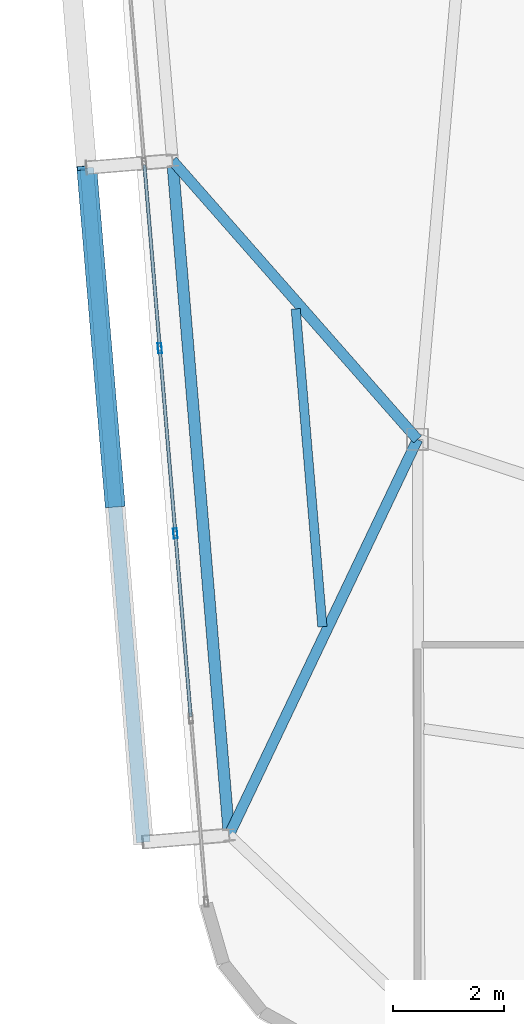
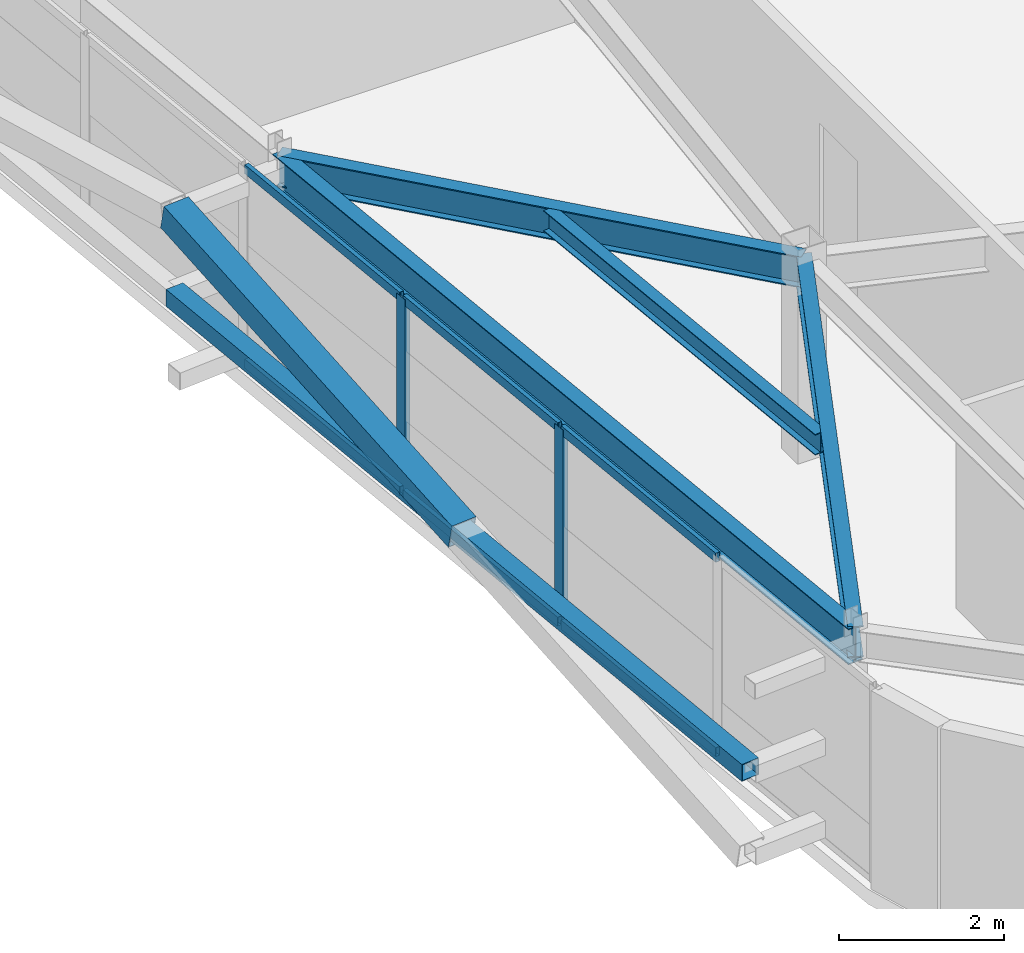
# One storey, part 9 of 46: 10 members, 4 beams, 1 element without a shape of its own.
"""IFC4 building model written with IfcOpenShell, lengths in metres."""

from ifc_helpers import new_model, si_unit, direction, frame, origin, origin_2d, place, context, subcontext, project, spatial, hollow_rectangle, i_section, extrude, source, transform, mapped, material, layer, layer_set, material_profile, profile_set, type_object, element, aggregate, save


model = new_model("IFC4")

# Units and contexts
model_context = context("Model", 3, precision=1e-05, world=origin(), true_north=direction((0.0, 1.0)))
body_context = subcontext(model_context, "Body", "Model", "MODEL_VIEW")
ifc_project = project(units=[si_unit("LENGTHUNIT", "METRE"), si_unit("AREAUNIT", "SQUARE_METRE"), si_unit("VOLUMEUNIT", "CUBIC_METRE"), si_unit("PLANEANGLEUNIT", "RADIAN"), si_unit("MASSUNIT", "GRAM", prefix="KILO")], contexts=[model_context])

# Site, building, storey
site_placement = place(None, origin())
site = spatial("IfcSite", under=ifc_project, at=site_placement, CompositionType="ELEMENT")
building_placement = place(site_placement, origin())
building = spatial("IfcBuilding", under=site, at=building_placement, Name="Taldren Reach Tower", CompositionType="ELEMENT")
storey_placement = place(building_placement, frame((0.0, 0.0, 185.14990234375)))
storey = spatial("IfcBuildingStorey", under=building, at=storey_placement, Name="L56", CompositionType="ELEMENT", Elevation=185.14990234375)

# Beams
ifc_material_1 = material(Name="Steel Gr 350 (350PLUS)", Category="steel")
ifc_material_profile_1 = material_profile(ifc_material_1, i_section(OverallWidth=0.208984375, OverallDepth=0.528076171875, WebThickness=0.009521484375, FlangeThickness=0.01318359375, at=origin_2d()), Name="530UB82.0")
ifc_profile_set_1 = profile_set([ifc_material_profile_1], Name="Steel Gr 350 (350PLUS)")
beam_type_1 = type_object("IfcBeamType", Name="SP-UB530B", PredefinedType="SPANDREL", material=ifc_profile_set_1)
shared_shape_1 = source(origin(), body_context, "Body", "SweptSolid", [
    extrude(i_section(OverallWidth=0.208984375, OverallDepth=0.528076171875, WebThickness=0.009521484375, FlangeThickness=0.01318359375, at=origin_2d()), origin(), (0.0, 0.0, 1.0), 12.199951171875),
])
beam_1_placement = place(storey_placement, frame((13.582763671875, 17.525146484375, 2.666015625), z_axis=(0.083688038336, -0.996492003099, 0.0), x_axis=(0.996492003099, 0.083688038336, 0.0)))
element("IfcBeam", 1, at=beam_1_placement, inside=storey, type_object=beam_type_1, Name="Perimeter spandrel B4 W2-W1 L56", PredefinedType="SPANDREL", context=body_context, shape_type="MappedRepresentation", body=[
    mapped(shared_shape_1, transform((0.0, 0.0, 0.0), scale=1.0)),
])
ifc_material_profile_2 = material_profile(ifc_material_1, i_section(OverallWidth=0.19091796875, OverallDepth=0.4599609375, WebThickness=0.010009765625, FlangeThickness=0.01611328125, at=origin_2d()), Name="460UB82.1")
ifc_profile_set_2 = profile_set([ifc_material_profile_2], Name="Steel Gr 350 (350PLUS)")
beam_type_2 = type_object("IfcBeamType", Name="BM-UB460A", PredefinedType="BEAM", material=ifc_profile_set_2)
shared_shape_2 = source(origin(), body_context, "Body", "SweptSolid", [
    extrude(i_section(OverallWidth=0.19091796875, OverallDepth=0.4599609375, WebThickness=0.010009765625, FlangeThickness=0.01611328125, at=origin_2d()), origin(), (0.0, 0.0, 1.0), 6.690673828125),
])
beam_2_placement = place(storey_placement, frame((18.0, 12.5, 2.7001953125), z_axis=(-0.660215677485, 0.751076067521, 0.0), x_axis=(-0.751076067521, -0.660215677485, 0.0)))
element("IfcBeam", 2, at=beam_2_placement, inside=storey, type_object=beam_type_2, Name="Primary floor girder B4-W2 L56", PredefinedType="BEAM", context=body_context, shape_type="MappedRepresentation", body=[
    mapped(shared_shape_2, transform((0.0, 0.0, 0.0), scale=1.0)),
])
shared_shape_3 = source(origin(), body_context, "Body", "SweptSolid", [
    extrude(i_section(OverallWidth=0.19091796875, OverallDepth=0.4599609375, WebThickness=0.010009765625, FlangeThickness=0.01611328125, at=origin_2d()), origin(), (0.0, 0.0, 1.0), 7.8994140625),
])
beam_3_placement = place(storey_placement, frame((18.0, 12.5, 2.7001953125), z_axis=(-0.429934780074, -0.902859947546, 0.0), x_axis=(0.902859947546, -0.429934780074, 0.0)))
element("IfcBeam", 3, at=beam_3_placement, inside=storey, type_object=beam_type_2, Name="Primary floor girder B4-W1 L56", PredefinedType="BEAM", context=body_context, shape_type="MappedRepresentation", body=[
    mapped(shared_shape_3, transform((0.0, 0.0, 0.0), scale=1.0)),
])
ifc_material_2 = material(Name="Steel Gr 300 (300PLUS, 300 MPa)", Category="steel")
ifc_material_profile_3 = material_profile(ifc_material_2, i_section(OverallWidth=0.166015625, OverallDepth=0.306884765625, WebThickness=0.006591796875, FlangeThickness=0.01171875, at=origin_2d()), Name="310UB46.2")
ifc_profile_set_3 = profile_set([ifc_material_profile_3], Name="Steel Gr 300 (300PLUS, 300 MPa)")
beam_type_3 = type_object("IfcBeamType", Name="JS-UB310", PredefinedType="JOIST", material=ifc_profile_set_3)
shared_shape_4 = source(origin(), body_context, "Body", "SweptSolid", [
    extrude(i_section(OverallWidth=0.166015625, OverallDepth=0.306884765625, WebThickness=0.006591796875, FlangeThickness=0.01171875, at=origin_2d()), origin(), (0.0, 0.0, 1.0), 5.750244140625),
])
beam_4_placement = place(storey_placement, frame((16.285888671875, 9.122802734375, 2.776611328125), z_axis=(-0.083642808993, 0.996495800545, 0.0), x_axis=(-0.996495800545, -0.083642808993, 0.0)))
element("IfcBeam", 4, at=beam_4_placement, inside=storey, type_object=beam_type_3, Name="Secondary floor joist B4 J6 L56", PredefinedType="JOIST", context=body_context, shape_type="MappedRepresentation", body=[
    mapped(shared_shape_4, transform((0.0, 0.0, 0.0), scale=1.0)),
])

# Members
ifc_material_3 = material(Name="Steel Gr 350 (C350L0)", Category="steel")
ifc_material_profile_4 = material_profile(ifc_material_3, hollow_rectangle(XDim=0.25, YDim=0.25, WallThickness=0.010009765625, at=origin_2d()), Name="250x250x10.0SHS")
ifc_profile_set_4 = profile_set([ifc_material_profile_4], Name="Steel Gr 350 (C350L0)")
member_type_1 = type_object("IfcMemberType", Name="MB-POST250", PredefinedType="POST", material=ifc_profile_set_4)
shared_shape_5 = source(origin(), body_context, "Body", "SweptSolid", [
    extrude(hollow_rectangle(XDim=0.25, YDim=0.25, WallThickness=0.010009765625, at=origin_2d()), origin(), (0.0, 0.0, 1.0), 12.199951171875),
])
member_1_placement = place(storey_placement, frame((13.05908203125, 5.23828125, 1.43505859375), z_axis=(-0.083688038336, 0.996492003099, 0.0), x_axis=(-0.996492003099, -0.083688038336, 0.0)))
element("IfcMember", 5, at=member_1_placement, inside=storey, type_object=member_type_1, Name="Exoskeleton mid-height ring chord B4-W1 L56", PredefinedType="POST", context=body_context, shape_type="MappedRepresentation", body=[
    mapped(shared_shape_5, transform((0.0, 0.0, 0.0), scale=1.0)),
])
ifc_material_4 = material(Name="Steel Gr 450 (C450L0)", Category="steel")
ifc_material_profile_5 = material_profile(ifc_material_4, hollow_rectangle(XDim=0.360107421875, YDim=0.360107421875, WallThickness=0.0126953125, at=origin_2d()), Name="360x360x12.7SHS")
ifc_profile_set_5 = profile_set([ifc_material_profile_5], Name="Steel Gr 450 (C450L0)")
member_type_2 = type_object("IfcMemberType", Name="MB-EXO356", PredefinedType="BRACE", material=ifc_profile_set_5)
shared_shape_6 = source(origin(), body_context, "Body", "SweptSolid", [
    extrude(hollow_rectangle(XDim=0.360107421875, YDim=0.360107421875, WallThickness=0.0126953125, at=origin_2d()), origin(), (0.0, 0.0, 1.0), 6.219970703125),
])
member_2_placement = place(storey_placement, frame((12.548583984375, 11.31689453125, 1.43505859375), z_axis=(-0.082075564879, 0.977291924611, 0.195356330179), x_axis=(-0.996492003099, -0.083688038336, 0.0)))
element("IfcMember", 6, at=member_2_placement, inside=storey, type_object=member_type_2, Name="Exoskeleton Diagrid Brace B4-W1 L56", PredefinedType="BRACE", context=body_context, shape_type="MappedRepresentation", body=[
    mapped(shared_shape_6, transform((0.0, 0.0, 0.0), scale=1.0)),
])

# Curtain wall, members
ifc_material_5 = material(Name="Aluminium and Low-E Glass Unitised System", Category="aluminium")
ifc_layer = layer(ifc_material_5, 0.159912109375)
ifc_layer_set = layer_set([ifc_layer], Name="Aluminium and Low-E Glass Unitised System")
curtain_wall_type = type_object("IfcCurtainWallType", Name="CW-SYS-5", PredefinedType="NOTDEFINED", material=ifc_layer_set)
curtain_wall_placement = place(storey_placement, origin())
curtain_wall = element("IfcCurtainWall", 7, at=curtain_wall_placement, inside=storey, type_object=curtain_wall_type, Name="Unitised curtain wall CW-L56-W", PredefinedType="NOTDEFINED")
ifc_material_6 = material(Name="Anodised Aluminium 6063-T6", Category="aluminium")
ifc_material_profile_6 = material_profile(ifc_material_6, hollow_rectangle(XDim=0.070068359375, YDim=0.179931640625, WallThickness=0.00390625, at=origin_2d()), Name="ALU-180x70x4RHS")
ifc_profile_set_6 = profile_set([ifc_material_profile_6], Name="Anodised Aluminium 6063-T6")
member_type_3 = type_object("IfcMemberType", Name="CW-MUL-180", PredefinedType="MULLION", material=ifc_profile_set_6)
shared_shape_7 = source(origin(), body_context, "Body", "SweptSolid", [
    extrude(hollow_rectangle(XDim=0.070068359375, YDim=0.179931640625, WallThickness=0.00390625, at=origin_2d()), origin(), (0.0, 0.0, 1.0), 2.93017578125),
])
member_3_placement = place(storey_placement, frame((13.35498046875, 14.144287109375, 0.0), z_axis=(0.0, 0.0, 1.0), x_axis=(0.996492847789, 0.083677979808, 0.0)))
member_3 = element("IfcMember", 8, at=member_3_placement, type_object=member_type_3, Name="CW-5 mullion 6", PredefinedType="MULLION", context=body_context, shape_type="MappedRepresentation", body=[
    mapped(shared_shape_7, transform((0.0, 0.0, 0.0), scale=1.0)),
])
member_4_placement = place(storey_placement, frame((13.63525390625, 10.805908203125, 0.0), z_axis=(0.0, 0.0, 1.0), x_axis=(0.996492847789, 0.083677979808, 0.0)))
member_4 = element("IfcMember", 9, at=member_4_placement, type_object=member_type_3, Name="CW-5 mullion 7", PredefinedType="MULLION", context=body_context, shape_type="MappedRepresentation", body=[
    mapped(shared_shape_7, transform((0.0, 0.0, 0.0), scale=1.0)),
])
ifc_material_profile_7 = material_profile(ifc_material_6, hollow_rectangle(XDim=0.06005859375, YDim=0.135009765625, WallThickness=0.00341796875, at=origin_2d()), Name="ALU-135x60x3.5RHS")
ifc_profile_set_7 = profile_set([ifc_material_profile_7], Name="Anodised Aluminium 6063-T6")
member_type_4 = type_object("IfcMemberType", Name="CW-TRN-150", PredefinedType="USERDEFINED", material=ifc_profile_set_7)
shared_shape_8 = source(origin(), body_context, "Body", "SweptSolid", [
    extrude(hollow_rectangle(XDim=0.06005859375, YDim=0.135009765625, WallThickness=0.00341796875, at=origin_2d()), origin(), (0.0, 0.0, 1.0), 3.280029296875),
])
member_5_placement = place(storey_placement, frame((13.077392578125, 17.44775390625, 0.030029296875), z_axis=(0.083735362341, -0.996488027572, 0.0), x_axis=(0.996488027572, 0.083735362341, 0.0)))
member_5 = element("IfcMember", 10, at=member_5_placement, type_object=member_type_4, Name="CW-5 transom 5.1", ObjectType="TRANSOM", PredefinedType="USERDEFINED", context=body_context, shape_type="MappedRepresentation", body=[
    mapped(shared_shape_8, transform((0.0, 0.0, 0.0), scale=1.0)),
])
member_6_placement = place(storey_placement, frame((13.077392578125, 17.44775390625, 2.900146484375), z_axis=(0.083735362341, -0.996488027572, 0.0), x_axis=(0.996488027572, 0.083735362341, 0.0)))
member_6 = element("IfcMember", 11, at=member_6_placement, type_object=member_type_4, Name="CW-5 transom 5.2", ObjectType="TRANSOM", PredefinedType="USERDEFINED", context=body_context, shape_type="MappedRepresentation", body=[
    mapped(shared_shape_8, transform((0.0, 0.0, 0.0), scale=1.0)),
])
member_7_placement = place(storey_placement, frame((13.35791015625, 14.109375, 0.030029296875), z_axis=(0.083661452101, -0.996494235524, 0.0), x_axis=(0.996494235524, 0.083661452101, 0.0)))
member_7 = element("IfcMember", 12, at=member_7_placement, type_object=member_type_4, Name="CW-5 transom 6.1", ObjectType="TRANSOM", PredefinedType="USERDEFINED", context=body_context, shape_type="MappedRepresentation", body=[
    mapped(shared_shape_8, transform((0.0, 0.0, 0.0), scale=1.0)),
])
member_8_placement = place(storey_placement, frame((13.35791015625, 14.109375, 2.900146484375), z_axis=(0.083661452101, -0.996494235524, 0.0), x_axis=(0.996494235524, 0.083661452101, 0.0)))
member_8 = element("IfcMember", 13, at=member_8_placement, type_object=member_type_4, Name="CW-5 transom 6.2", ObjectType="TRANSOM", PredefinedType="USERDEFINED", context=body_context, shape_type="MappedRepresentation", body=[
    mapped(shared_shape_8, transform((0.0, 0.0, 0.0), scale=1.0)),
])
member_9_placement = place(storey_placement, frame((13.63818359375, 10.771240234375, 0.030029296875), z_axis=(0.083661452101, -0.996494235524, 0.0), x_axis=(0.996494235524, 0.083661452101, 0.0)))
member_9 = element("IfcMember", 14, at=member_9_placement, type_object=member_type_4, Name="CW-5 transom 7.1", ObjectType="TRANSOM", PredefinedType="USERDEFINED", context=body_context, shape_type="MappedRepresentation", body=[
    mapped(shared_shape_8, transform((0.0, 0.0, 0.0), scale=1.0)),
])
member_10_placement = place(storey_placement, frame((13.63818359375, 10.771240234375, 2.900146484375), z_axis=(0.083661452101, -0.996494235524, 0.0), x_axis=(0.996494235524, 0.083661452101, 0.0)))
member_10 = element("IfcMember", 15, at=member_10_placement, type_object=member_type_4, Name="CW-5 transom 7.2", ObjectType="TRANSOM", PredefinedType="USERDEFINED", context=body_context, shape_type="MappedRepresentation", body=[
    mapped(shared_shape_8, transform((0.0, 0.0, 0.0), scale=1.0)),
])
aggregate(curtain_wall, [member_3, member_4, member_5, member_6, member_7, member_8, member_9, member_10])

save(model, "model.ifc")
